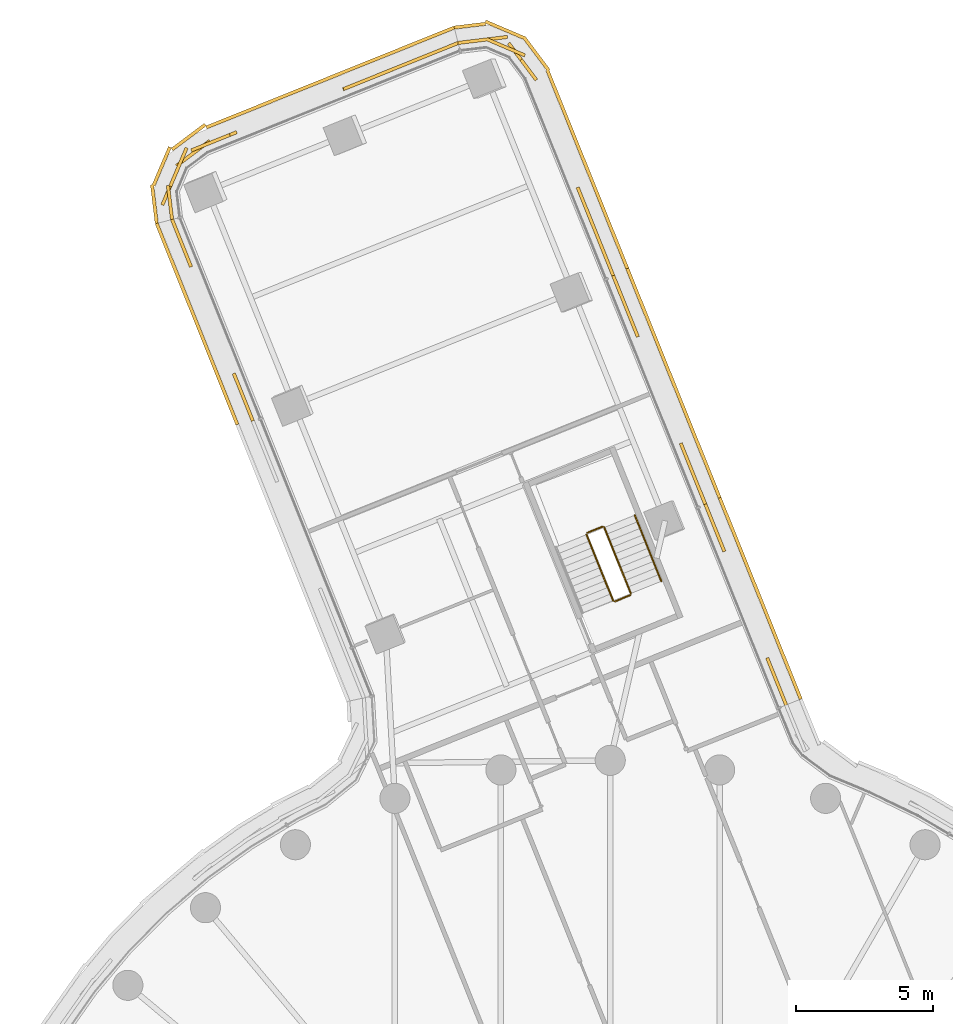
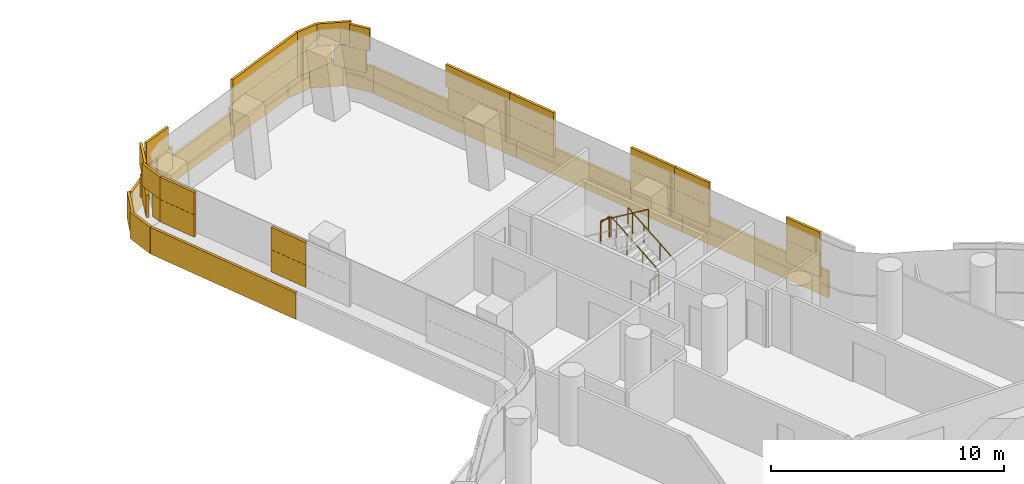
# One storey, part 32 of 32: 5 coverings, 5 railings.
"""IFC4 building model written with IfcOpenShell, lengths in metres."""

from ifc_helpers import new_model, si_unit, direction, frame, origin, origin_2d, place, context, subcontext, project, spatial, rectangle, circle, extrude, material, layer, layer_set, type_object, element, save


model = new_model("IFC4")

# Units and contexts
model_context = context("Model", 3, precision=1e-05, world=origin(), true_north=direction((0.0, 1.0)))
body_context = subcontext(model_context, "Body", "Model", "MODEL_VIEW")
ifc_project = project(units=[si_unit("LENGTHUNIT", "METRE"), si_unit("AREAUNIT", "SQUARE_METRE"), si_unit("VOLUMEUNIT", "CUBIC_METRE"), si_unit("PLANEANGLEUNIT", "RADIAN"), si_unit("MASSUNIT", "GRAM", prefix="KILO")], contexts=[model_context])

# Site, building, storey
site_placement = place(None, origin())
site = spatial("IfcSite", under=ifc_project, at=site_placement, CompositionType="ELEMENT")
building_placement = place(site_placement, origin())
building = spatial("IfcBuilding", under=site, at=building_placement, Name="Tamarind Cross Interchange Tower", CompositionType="ELEMENT")
storey_placement = place(building_placement, frame((0.0, 0.0, 113.5)))
storey = spatial("IfcBuildingStorey", under=building, at=storey_placement, Name="L27", CompositionType="ELEMENT", Elevation=113.5)

# Railings
ifc_material_1 = material(Name="Stair guard")
railing_type_1 = type_object("IfcRailingType", Name="Stair guard", PredefinedType="GUARDRAIL", material=ifc_material_1)
railing_1_placement = place(storey_placement, frame((0.75341796875, 29.095458984375, 0.17041015625)))
element("IfcRailing", 1, at=railing_1_placement, inside=storey, type_object=railing_type_1, Name="L27 ST4 stair guard 1", PredefinedType="GUARDRAIL", context=body_context, shape_type="SweptSolid", body=[
    extrude(circle(Radius=0.02392578125, at=origin_2d()), frame((0.0, 0.0, 1.076171875), z_axis=(-0.312469690883, 0.775716412802, 0.548294390988), x_axis=(-0.927573790047, -0.373640019295, 0.0)), (0.0, 0.0, 1.0), 3.10888671875),
    extrude(circle(Radius=0.02099609375, at=origin_2d()), origin(), (0.0, 0.0, 1.0), 1.052001953125),
    extrude(circle(Radius=0.02099609375, at=origin_2d()), frame((-0.32373046875, 0.803955078125, 0.568115234375)), (0.0, 0.0, 1.0), 1.052001953125),
    extrude(circle(Radius=0.02099609375, at=origin_2d()), frame((-0.647705078125, 1.607666015625, 1.136474609375)), (0.0, 0.0, 1.0), 1.052001953125),
    extrude(circle(Radius=0.02099609375, at=origin_2d()), frame((-0.971435546875, 2.41162109375, 1.70458984375)), (0.0, 0.0, 1.0), 1.052001953125),
])
railing_2_placement = place(storey_placement, frame((-0.283203125, 31.534912109375, 1.875)))
element("IfcRailing", 2, at=railing_2_placement, inside=storey, type_object=railing_type_1, Name="L27 ST4 stair guard 2", PredefinedType="GUARDRAIL", context=body_context, shape_type="SweptSolid", body=[
    extrude(circle(Radius=0.02392578125, at=origin_2d()), frame((0.0, 0.0, 1.076171875), z_axis=(-0.927434642362, -0.373985272633, 0.0), x_axis=(0.373985272633, -0.927434642362, 0.0)), (0.0, 0.0, 1.0), 0.599853515625),
    extrude(circle(Radius=0.02099609375, at=origin_2d()), origin(), (0.0, 0.0, 1.0), 1.052001953125),
    extrude(circle(Radius=0.02099609375, at=origin_2d()), frame((-0.556396484375, -0.224365234375, 0.0)), (0.0, 0.0, 1.0), 1.052001953125),
])
railing_3_placement = place(storey_placement, frame((-0.867431640625, 31.24560546875, 2.04541015625)))
element("IfcRailing", 3, at=railing_3_placement, inside=storey, type_object=railing_type_1, Name="L27 ST4 stair guard 3", PredefinedType="GUARDRAIL", context=body_context, shape_type="SweptSolid", body=[
    extrude(circle(Radius=0.02392578125, at=origin_2d()), frame((0.0, 0.0, 1.076171875), z_axis=(0.312450657011, -0.775747685502, 0.548260992021), x_axis=(0.927586897837, 0.373607477122, 0.0)), (0.0, 0.0, 1.0), 3.109130859375),
    extrude(circle(Radius=0.02099609375, at=origin_2d()), origin(), (0.0, 0.0, 1.0), 1.052001953125),
    extrude(circle(Radius=0.02099609375, at=origin_2d()), frame((0.32373046875, -0.803955078125, 0.568115234375)), (0.0, 0.0, 1.0), 1.052001953125),
    extrude(circle(Radius=0.02099609375, at=origin_2d()), frame((0.647705078125, -1.60791015625, 1.136474609375)), (0.0, 0.0, 1.0), 1.052001953125),
    extrude(circle(Radius=0.02099609375, at=origin_2d()), frame((0.971435546875, -2.411865234375, 1.70458984375)), (0.0, 0.0, 1.0), 1.052001953125),
])
railing_4_placement = place(storey_placement, frame((0.7255859375, 29.0302734375, 0.0)))
element("IfcRailing", 4, at=railing_4_placement, inside=storey, type_object=railing_type_1, Name="L27 ST4 stair guard 4", PredefinedType="GUARDRAIL", context=body_context, shape_type="SweptSolid", body=[
    extrude(circle(Radius=0.02392578125, at=origin_2d()), frame((0.0, 0.0, 1.076171875), z_axis=(-0.927575746437, -0.373635162453, 0.0), x_axis=(0.373635162453, -0.927575746437, 0.0)), (0.0, 0.0, 1.0), 0.599853515625),
    extrude(circle(Radius=0.02099609375, at=origin_2d()), origin(), (0.0, 0.0, 1.0), 1.052001953125),
    extrude(circle(Radius=0.02099609375, at=origin_2d()), frame((-0.556396484375, -0.22412109375, 0.0)), (0.0, 0.0, 1.0), 1.052001953125),
])
ifc_material_2 = material(Name="Stair handrail")
railing_type_2 = type_object("IfcRailingType", Name="Stair handrail", PredefinedType="HANDRAIL", material=ifc_material_2)
railing_5_placement = place(storey_placement, frame((1.866455078125, 29.543701171875, 0.17041015625)))
element("IfcRailing", 5, at=railing_5_placement, inside=storey, type_object=railing_type_2, Name="L27 ST4 stair handrail 1", PredefinedType="HANDRAIL", context=body_context, shape_type="SweptSolid", body=[
    extrude(circle(Radius=0.02392578125, at=origin_2d()), frame((0.0, 0.0, 0.8759765625), z_axis=(-0.312450657011, 0.775747685502, 0.548260992021), x_axis=(-0.927586897837, -0.373607477122, 0.0)), (0.0, 0.0, 1.0), 3.109130859375),
    extrude(circle(Radius=0.02099609375, at=origin_2d()), origin(), (0.0, 0.0, 1.0), 0.851806640625),
    extrude(circle(Radius=0.02099609375, at=origin_2d()), frame((-0.32373046875, 0.803955078125, 0.568115234375)), (0.0, 0.0, 1.0), 0.851806640625),
    extrude(circle(Radius=0.02099609375, at=origin_2d()), frame((-0.647705078125, 1.60791015625, 1.136474609375)), (0.0, 0.0, 1.0), 0.851806640625),
    extrude(circle(Radius=0.02099609375, at=origin_2d()), frame((-0.971435546875, 2.411865234375, 1.70458984375)), (0.0, 0.0, 1.0), 0.851806640625),
])

# Coverings
ifc_material_3 = material(Name="Terracotta", Category="masonry")
ifc_layer = layer(ifc_material_3, 0.1201171875)
ifc_layer_set = layer_set([ifc_layer], Name="Terracotta")
covering_type = type_object("IfcCoveringType", Name="Terracotta baguette screen unit", PredefinedType="MOLDING", material=ifc_layer_set)
covering_1_placement = place(storey_placement, origin())
element("IfcCovering", 6, at=covering_1_placement, inside=storey, type_object=covering_type, Name="SCR-L27-11-00", PredefinedType="MOLDING", context=body_context, shape_type="SweptSolid", body=[
    extrude(rectangle(XDim=0.760009765625, YDim=0.1201171875, at=origin_2d()), frame((6.285400390625, 25.37158203125, 1.404052734375), z_axis=(0.0, 0.0, 1.0), x_axis=(-0.373648394893, 0.927570416192, 0.0)), (0.0, 0.0, 1.0), 1.1669921875),
    extrude(rectangle(XDim=1.110107421875, YDim=0.1201171875, at=origin_2d()), frame((5.93994140625, 26.2294921875, 1.404052734375), z_axis=(0.0, 0.0, 1.0), x_axis=(-0.373648394893, 0.927570416192, 0.0)), (0.0, 0.0, 1.0), 1.1669921875),
    extrude(rectangle(XDim=0.7099609375, YDim=0.1201171875, at=origin_2d()), frame((4.0341796875, 30.960205078125, 1.404052734375), z_axis=(0.0, 0.0, 1.0), x_axis=(-0.373648394893, 0.927570416192, 0.0)), (0.0, 0.0, 1.0), 1.1669921875),
    extrude(rectangle(XDim=1.159912109375, YDim=0.1201171875, at=origin_2d()), frame((3.688720703125, 31.818115234375, 1.404052734375), z_axis=(0.0, 0.0, 1.0), x_axis=(-0.373648394893, 0.927570416192, 0.0)), (0.0, 0.0, 1.0), 1.1669921875),
    extrude(rectangle(XDim=1.510009765625, YDim=0.1201171875, at=origin_2d()), frame((6.145263671875, 25.719482421875, 2.5791015625), z_axis=(0.0, 0.0, 1.0), x_axis=(-0.373648394893, 0.927570416192, 0.0)), (0.0, 0.0, 1.0), 1.1669921875),
    extrude(rectangle(XDim=0.360107421875, YDim=0.1201171875, at=origin_2d()), frame((5.7998046875, 26.577392578125, 2.5791015625), z_axis=(0.0, 0.0, 1.0), x_axis=(-0.373648394893, 0.927570416192, 0.0)), (0.0, 0.0, 1.0), 1.1669921875),
    extrude(rectangle(XDim=1.4599609375, YDim=0.1201171875, at=origin_2d()), frame((3.89404296875, 31.30810546875, 2.5791015625), z_axis=(0.0, 0.0, 1.0), x_axis=(-0.373648394893, 0.927570416192, 0.0)), (0.0, 0.0, 1.0), 1.1669921875),
    extrude(rectangle(XDim=0.409912109375, YDim=0.1201171875, at=origin_2d()), frame((3.548583984375, 32.166015625, 2.5791015625), z_axis=(0.0, 0.0, 1.0), x_axis=(-0.373648394893, 0.927570416192, 0.0)), (0.0, 0.0, 1.0), 1.1669921875),
    extrude(rectangle(XDim=0.760009765625, YDim=0.1201171875, at=origin_2d()), frame((6.815673828125, 25.591552734375, 0.00390625), z_axis=(0.0, 0.0, 1.0), x_axis=(-0.373648394893, 0.927570416192, 0.0)), (0.0, 0.0, 1.0), 1.39208984375),
    extrude(rectangle(XDim=1.52001953125, YDim=0.1201171875, at=origin_2d()), frame((6.397216796875, 26.63037109375, 0.00390625), z_axis=(0.0, 0.0, 1.0), x_axis=(-0.373648394893, 0.927570416192, 0.0)), (0.0, 0.0, 1.0), 1.39208984375),
    extrude(rectangle(XDim=1.52001953125, YDim=0.1201171875, at=origin_2d()), frame((5.836669921875, 28.021728515625, 0.00390625), z_axis=(0.0, 0.0, 1.0), x_axis=(-0.373648394893, 0.927570416192, 0.0)), (0.0, 0.0, 1.0), 1.39208984375),
    extrude(rectangle(XDim=1.52001953125, YDim=0.1201171875, at=origin_2d()), frame((5.2763671875, 29.4130859375, 0.00390625), z_axis=(0.0, 0.0, 1.0), x_axis=(-0.373648394893, 0.927570416192, 0.0)), (0.0, 0.0, 1.0), 1.39208984375),
    extrude(rectangle(XDim=1.52001953125, YDim=0.1201171875, at=origin_2d()), frame((4.7158203125, 30.804443359375, 0.00390625), z_axis=(0.0, 0.0, 1.0), x_axis=(-0.373648394893, 0.927570416192, 0.0)), (0.0, 0.0, 1.0), 1.39208984375),
    extrude(rectangle(XDim=1.183837890625, YDim=0.1201171875, at=origin_2d()), frame((4.218017578125, 32.039794921875, 0.00390625), z_axis=(0.0, 0.0, 1.0), x_axis=(-0.373648394893, 0.927570416192, 0.0)), (0.0, 0.0, 1.0), 1.39208984375),
])
covering_2_placement = place(storey_placement, origin())
element("IfcCovering", 7, at=covering_2_placement, inside=storey, type_object=covering_type, Name="SCR-L27-11-01", PredefinedType="MOLDING", context=body_context, shape_type="SweptSolid", body=[
    extrude(rectangle(XDim=0.35986328125, YDim=0.1201171875, at=origin_2d()), frame((3.408447265625, 32.513916015625, 1.404052734375), z_axis=(0.0, 0.0, 1.0), x_axis=(-0.373648394893, 0.927570416192, 0.0)), (0.0, 0.0, 1.0), 1.1669921875),
    extrude(rectangle(XDim=1.52001953125, YDim=0.1201171875, at=origin_2d()), frame((3.062744140625, 33.371826171875, 1.404052734375), z_axis=(0.0, 0.0, 1.0), x_axis=(-0.373648394893, 0.927570416192, 0.0)), (0.0, 0.0, 1.0), 1.1669921875),
    extrude(rectangle(XDim=0.562255859375, YDim=0.1201171875, at=origin_2d()), frame((2.679443359375, 34.32373046875, 1.404052734375), z_axis=(0.0, 0.0, 1.0), x_axis=(-0.373648394893, 0.927570416192, 0.0)), (0.0, 0.0, 1.0), 1.1669921875),
    extrude(rectangle(XDim=1.2578125, YDim=0.1201171875, at=origin_2d()), frame((0.773681640625, 39.05419921875, 1.404052734375), z_axis=(0.0, 0.0, 1.0), x_axis=(-0.373648394893, 0.927570416192, 0.0)), (0.0, 0.0, 1.0), 1.1669921875),
    extrude(rectangle(XDim=1.164306640625, YDim=0.1201171875, at=origin_2d()), frame((0.324951171875, 40.168212890625, 1.404052734375), z_axis=(0.0, 0.0, 1.0), x_axis=(-0.373648394893, 0.927570416192, 0.0)), (0.0, 0.0, 1.0), 1.1669921875),
    extrude(rectangle(XDim=1.10986328125, YDim=0.1201171875, at=origin_2d()), frame((3.268310546875, 32.86181640625, 2.5791015625), z_axis=(0.0, 0.0, 1.0), x_axis=(-0.373648394893, 0.927570416192, 0.0)), (0.0, 0.0, 1.0), 1.1669921875),
    extrude(rectangle(XDim=1.312255859375, YDim=0.1201171875, at=origin_2d()), frame((2.819580078125, 33.975830078125, 2.5791015625), z_axis=(0.0, 0.0, 1.0), x_axis=(-0.373648394893, 0.927570416192, 0.0)), (0.0, 0.0, 1.0), 1.1669921875),
    extrude(rectangle(XDim=0.5078125, YDim=0.1201171875, at=origin_2d()), frame((0.913818359375, 38.706298828125, 2.5791015625), z_axis=(0.0, 0.0, 1.0), x_axis=(-0.373648394893, 0.927570416192, 0.0)), (0.0, 0.0, 1.0), 1.1669921875),
    extrude(rectangle(XDim=1.52001953125, YDim=0.1201171875, at=origin_2d()), frame((0.54052734375, 39.633056640625, 2.5791015625), z_axis=(0.0, 0.0, 1.0), x_axis=(-0.373648394893, 0.927570416192, 0.0)), (0.0, 0.0, 1.0), 1.1669921875),
    extrude(rectangle(XDim=0.414306640625, YDim=0.1201171875, at=origin_2d()), frame((0.184814453125, 40.51611328125, 2.5791015625), z_axis=(0.0, 0.0, 1.0), x_axis=(-0.373648394893, 0.927570416192, 0.0)), (0.0, 0.0, 1.0), 1.1669921875),
    extrude(rectangle(XDim=0.336181640625, YDim=0.1201171875, at=origin_2d()), frame((3.93408203125, 32.744873046875, 0.00390625), z_axis=(0.0, 0.0, 1.0), x_axis=(-0.373648394893, 0.927570416192, 0.0)), (0.0, 0.0, 1.0), 1.39208984375),
    extrude(rectangle(XDim=1.52001953125, YDim=0.1201171875, at=origin_2d()), frame((3.594970703125, 33.587158203125, 0.00390625), z_axis=(0.0, 0.0, 1.0), x_axis=(-0.373648394893, 0.927570416192, 0.0)), (0.0, 0.0, 1.0), 1.39208984375),
    extrude(rectangle(XDim=1.52001953125, YDim=0.1201171875, at=origin_2d()), frame((3.034423828125, 34.978515625, 0.00390625), z_axis=(0.0, 0.0, 1.0), x_axis=(-0.373648394893, 0.927570416192, 0.0)), (0.0, 0.0, 1.0), 1.39208984375),
    extrude(rectangle(XDim=1.52001953125, YDim=0.1201171875, at=origin_2d()), frame((2.473876953125, 36.369873046875, 0.00390625), z_axis=(0.0, 0.0, 1.0), x_axis=(-0.373648394893, 0.927570416192, 0.0)), (0.0, 0.0, 1.0), 1.39208984375),
    extrude(rectangle(XDim=1.52001953125, YDim=0.1201171875, at=origin_2d()), frame((1.913330078125, 37.76123046875, 0.00390625), z_axis=(0.0, 0.0, 1.0), x_axis=(-0.373648394893, 0.927570416192, 0.0)), (0.0, 0.0, 1.0), 1.39208984375),
    extrude(rectangle(XDim=1.52001953125, YDim=0.1201171875, at=origin_2d()), frame((1.35302734375, 39.152587890625, 0.00390625), z_axis=(0.0, 0.0, 1.0), x_axis=(-0.373648394893, 0.927570416192, 0.0)), (0.0, 0.0, 1.0), 1.39208984375),
    extrude(rectangle(XDim=1.215087890625, YDim=0.1201171875, at=origin_2d()), frame((0.849365234375, 40.402587890625, 0.00390625), z_axis=(0.0, 0.0, 1.0), x_axis=(-0.373648394893, 0.927570416192, 0.0)), (0.0, 0.0, 1.0), 1.39208984375),
])
covering_3_placement = place(storey_placement, origin())
element("IfcCovering", 8, at=covering_3_placement, inside=storey, type_object=covering_type, Name="SCR-L27-11-02", PredefinedType="MOLDING", context=body_context, shape_type="SweptSolid", body=[
    extrude(rectangle(XDim=0.355712890625, YDim=0.1201171875, at=origin_2d()), frame((0.044677734375, 40.864013671875, 1.404052734375), z_axis=(0.0, 0.0, 1.0), x_axis=(-0.373648394893, 0.927570416192, 0.0)), (0.0, 0.0, 1.0), 1.1669921875),
    extrude(rectangle(XDim=1.52001953125, YDim=0.1201171875, at=origin_2d()), frame((-0.300048828125, 41.719970703125, 1.404052734375), z_axis=(0.0, 0.0, 1.0), x_axis=(-0.373648394893, 0.927570416192, 0.0)), (0.0, 0.0, 1.0), 1.1669921875),
    extrude(rectangle(XDim=1.52001953125, YDim=0.1201171875, at=origin_2d()), frame((-0.860595703125, 43.111328125, 1.404052734375), z_axis=(0.0, 0.0, 1.0), x_axis=(-0.373648394893, 0.927570416192, 0.0)), (0.0, 0.0, 1.0), 1.1669921875),
    extrude(rectangle(XDim=1.52001953125, YDim=0.1201171875, at=origin_2d()), frame((-3.255126953125, 48.590576171875, 1.404052734375), z_axis=(0.0, 0.0, 1.0), x_axis=(-0.600989523963, 0.799256899931, 0.0)), (0.0, 0.0, 1.0), 1.1669921875),
    extrude(rectangle(XDim=1.52001953125, YDim=0.1201171875, at=origin_2d()), frame((-4.5087890625, 49.33251953125, 1.404052734375), z_axis=(0.0, 0.0, 1.0), x_axis=(-0.992671541471, -0.120843745195, 0.0)), (0.0, 0.0, 1.0), 1.1669921875),
    extrude(rectangle(XDim=0.314697265625, YDim=0.1201171875, at=origin_2d()), frame((-5.404541015625, 49.2236328125, 1.404052734375), z_axis=(0.0, 0.0, 1.0), x_axis=(-0.992671541471, -0.120843745195, 0.0)), (0.0, 0.0, 1.0), 1.1669921875),
    extrude(rectangle(XDim=1.105712890625, YDim=0.1201171875, at=origin_2d()), frame((-0.095458984375, 41.2119140625, 2.5791015625), z_axis=(0.0, 0.0, 1.0), x_axis=(-0.373648394893, 0.927570416192, 0.0)), (0.0, 0.0, 1.0), 1.1669921875),
    extrude(rectangle(XDim=1.52001953125, YDim=0.1201171875, at=origin_2d()), frame((-0.580322265625, 42.415771484375, 2.5791015625), z_axis=(0.0, 0.0, 1.0), x_axis=(-0.373648394893, 0.927570416192, 0.0)), (0.0, 0.0, 1.0), 1.1669921875),
    extrude(rectangle(XDim=0.889404296875, YDim=0.1201171875, at=origin_2d()), frame((-1.02490234375, 43.519287109375, 2.5791015625), z_axis=(0.0, 0.0, 1.0), x_axis=(-0.373648394893, 0.927570416192, 0.0)), (0.0, 0.0, 1.0), 1.1669921875),
    extrude(rectangle(XDim=0.9306640625, YDim=0.1201171875, at=origin_2d()), frame((-2.978515625, 48.22265625, 2.5791015625), z_axis=(0.0, 0.0, 1.0), x_axis=(-0.600989523963, 0.799256899931, 0.0)), (0.0, 0.0, 1.0), 1.1669921875),
    extrude(rectangle(XDim=1.52001953125, YDim=0.1201171875, at=origin_2d()), frame((-3.817626953125, 49.04736328125, 2.5791015625), z_axis=(0.0, 0.0, 1.0), x_axis=(-0.920100645125, 0.391682017509, 0.0)), (0.0, 0.0, 1.0), 1.1669921875),
    extrude(rectangle(XDim=1.064697265625, YDim=0.1201171875, at=origin_2d()), frame((-5.0322265625, 49.268798828125, 2.5791015625), z_axis=(0.0, 0.0, 1.0), x_axis=(-0.992671541471, -0.120843745195, 0.0)), (0.0, 0.0, 1.0), 1.1669921875),
    extrude(rectangle(XDim=0.304931640625, YDim=0.1201171875, at=origin_2d()), frame((0.5654296875, 41.107421875, 0.00390625), z_axis=(0.0, 0.0, 1.0), x_axis=(-0.373648394893, 0.927570416192, 0.0)), (0.0, 0.0, 1.0), 1.39208984375),
    extrude(rectangle(XDim=1.52001953125, YDim=0.1201171875, at=origin_2d()), frame((0.23193359375, 41.935302734375, 0.00390625), z_axis=(0.0, 0.0, 1.0), x_axis=(-0.373648394893, 0.927570416192, 0.0)), (0.0, 0.0, 1.0), 1.39208984375),
    extrude(rectangle(XDim=1.52001953125, YDim=0.1201171875, at=origin_2d()), frame((-0.328369140625, 43.32666015625, 0.00390625), z_axis=(0.0, 0.0, 1.0), x_axis=(-0.373648394893, 0.927570416192, 0.0)), (0.0, 0.0, 1.0), 1.39208984375),
    extrude(rectangle(XDim=1.52001953125, YDim=0.1201171875, at=origin_2d()), frame((-0.888916015625, 44.718017578125, 0.00390625), z_axis=(0.0, 0.0, 1.0), x_axis=(-0.373648394893, 0.927570416192, 0.0)), (0.0, 0.0, 1.0), 1.39208984375),
    extrude(rectangle(XDim=1.52001953125, YDim=0.1201171875, at=origin_2d()), frame((-1.449462890625, 46.109375, 0.00390625), z_axis=(0.0, 0.0, 1.0), x_axis=(-0.373648394893, 0.927570416192, 0.0)), (0.0, 0.0, 1.0), 1.39208984375),
    extrude(rectangle(XDim=1.52001953125, YDim=0.1201171875, at=origin_2d()), frame((-2.009765625, 47.500732421875, 0.00390625), z_axis=(0.0, 0.0, 1.0), x_axis=(-0.373648394893, 0.927570416192, 0.0)), (0.0, 0.0, 1.0), 1.39208984375),
    extrude(rectangle(XDim=1.52001953125, YDim=0.1201171875, at=origin_2d()), frame((-2.7060546875, 48.8154296875, 0.00390625), z_axis=(0.0, 0.0, 1.0), x_axis=(-0.600989523963, 0.799256899931, 0.0)), (0.0, 0.0, 1.0), 1.39208984375),
    extrude(rectangle(XDim=1.52001953125, YDim=0.1201171875, at=origin_2d()), frame((-3.861572265625, 49.68994140625, 0.00390625), z_axis=(0.0, 0.0, 1.0), x_axis=(-0.920100645125, 0.391682017509, 0.0)), (0.0, 0.0, 1.0), 1.39208984375),
    extrude(rectangle(XDim=1.15576171875, YDim=0.1201171875, at=origin_2d()), frame((-5.12646484375, 49.835693359375, 0.00390625), z_axis=(0.0, 0.0, 1.0), x_axis=(-0.992671541471, -0.120843745195, 0.0)), (0.0, 0.0, 1.0), 1.39208984375),
])
covering_4_placement = place(storey_placement, origin())
element("IfcCovering", 9, at=covering_4_placement, inside=storey, type_object=covering_type, Name="SCR-L27-12-00", PredefinedType="MOLDING", context=body_context, shape_type="SweptSolid", body=[
    extrude(rectangle(XDim=0.760009765625, YDim=0.1201171875, at=origin_2d()), frame((-5.903564453125, 49.06494140625, 1.404052734375), z_axis=(0.0, 0.0, 1.0), x_axis=(-0.927570416192, -0.373648394893, 0.0)), (0.0, 0.0, 1.0), 1.1669921875),
    extrude(rectangle(XDim=1.52001953125, YDim=0.1201171875, at=origin_2d()), frame((-6.947021484375, 48.644775390625, 1.404052734375), z_axis=(0.0, 0.0, 1.0), x_axis=(-0.927570416192, -0.373648394893, 0.0)), (0.0, 0.0, 1.0), 1.1669921875),
    extrude(rectangle(XDim=1.52001953125, YDim=0.1201171875, at=origin_2d()), frame((-8.33837890625, 48.084228515625, 1.404052734375), z_axis=(0.0, 0.0, 1.0), x_axis=(-0.927570416192, -0.373648394893, 0.0)), (0.0, 0.0, 1.0), 1.1669921875),
    extrude(rectangle(XDim=0.784912109375, YDim=0.1201171875, at=origin_2d()), frame((-9.3935546875, 47.6591796875, 1.404052734375), z_axis=(0.0, 0.0, 1.0), x_axis=(-0.927570416192, -0.373648394893, 0.0)), (0.0, 0.0, 1.0), 1.1669921875),
    extrude(rectangle(XDim=1.03515625, YDim=0.1201171875, at=origin_2d()), frame((-14.1240234375, 45.753662109375, 1.404052734375), z_axis=(0.0, 0.0, 1.0), x_axis=(-0.927570416192, -0.373648394893, 0.0)), (0.0, 0.0, 1.0), 1.1669921875),
    extrude(rectangle(XDim=1.52001953125, YDim=0.1201171875, at=origin_2d()), frame((-15.234130859375, 45.173583984375, 1.404052734375), z_axis=(0.0, 0.0, 1.0), x_axis=(-0.799256899931, -0.600989523963, 0.0)), (0.0, 0.0, 1.0), 1.1669921875),
    extrude(rectangle(XDim=1.52001953125, YDim=0.1201171875, at=origin_2d()), frame((-16.064208984375, 43.983154296875, 1.404052734375), z_axis=(0.0, 0.0, 1.0), x_axis=(-0.391682017509, -0.920100645125, 0.0)), (0.0, 0.0, 1.0), 1.1669921875),
    extrude(rectangle(XDim=0.509521484375, YDim=0.1201171875, at=origin_2d()), frame((-16.03466796875, 43.003662109375, 1.404052734375), z_axis=(0.0, 0.0, 1.0), x_axis=(0.120843745195, -0.992671541471, 0.0)), (0.0, 0.0, 1.0), 1.1669921875),
    extrude(rectangle(XDim=1.510009765625, YDim=0.1201171875, at=origin_2d()), frame((-6.25146484375, 48.9248046875, 2.5791015625), z_axis=(0.0, 0.0, 1.0), x_axis=(-0.927570416192, -0.373648394893, 0.0)), (0.0, 0.0, 1.0), 1.1669921875),
    extrude(rectangle(XDim=1.52001953125, YDim=0.1201171875, at=origin_2d()), frame((-7.642822265625, 48.364501953125, 2.5791015625), z_axis=(0.0, 0.0, 1.0), x_axis=(-0.927570416192, -0.373648394893, 0.0)), (0.0, 0.0, 1.0), 1.1669921875),
    extrude(rectangle(XDim=1.52001953125, YDim=0.1201171875, at=origin_2d()), frame((-9.0341796875, 47.803955078125, 2.5791015625), z_axis=(0.0, 0.0, 1.0), x_axis=(-0.927570416192, -0.373648394893, 0.0)), (0.0, 0.0, 1.0), 1.1669921875),
    extrude(rectangle(XDim=1.52001953125, YDim=0.1201171875, at=origin_2d()), frame((-14.599609375, 45.56201171875, 2.5791015625), z_axis=(0.0, 0.0, 1.0), x_axis=(-0.927570416192, -0.373648394893, 0.0)), (0.0, 0.0, 1.0), 1.1669921875),
    extrude(rectangle(XDim=1.52001953125, YDim=0.1201171875, at=origin_2d()), frame((-15.770263671875, 44.67333984375, 2.5791015625), z_axis=(0.0, 0.0, 1.0), x_axis=(-0.391682017509, -0.920100645125, 0.0)), (0.0, 0.0, 1.0), 1.1669921875),
    extrude(rectangle(XDim=1.259521484375, YDim=0.1201171875, at=origin_2d()), frame((-16.080078125, 43.3759765625, 2.5791015625), z_axis=(0.0, 0.0, 1.0), x_axis=(0.120843745195, -0.992671541471, 0.0)), (0.0, 0.0, 1.0), 1.1669921875),
    extrude(rectangle(XDim=0.760009765625, YDim=0.1201171875, at=origin_2d()), frame((-6.052490234375, 49.623779296875, 0.00390625), z_axis=(0.0, 0.0, 1.0), x_axis=(-0.927570416192, -0.373648394893, 0.0)), (0.0, 0.0, 1.0), 1.39208984375),
    extrude(rectangle(XDim=1.52001953125, YDim=0.1201171875, at=origin_2d()), frame((-7.091552734375, 49.205322265625, 0.00390625), z_axis=(0.0, 0.0, 1.0), x_axis=(-0.927570416192, -0.373648394893, 0.0)), (0.0, 0.0, 1.0), 1.39208984375),
    extrude(rectangle(XDim=1.52001953125, YDim=0.1201171875, at=origin_2d()), frame((-8.48291015625, 48.644775390625, 0.00390625), z_axis=(0.0, 0.0, 1.0), x_axis=(-0.927570416192, -0.373648394893, 0.0)), (0.0, 0.0, 1.0), 1.39208984375),
    extrude(rectangle(XDim=1.52001953125, YDim=0.1201171875, at=origin_2d()), frame((-9.874267578125, 48.08447265625, 0.00390625), z_axis=(0.0, 0.0, 1.0), x_axis=(-0.927570416192, -0.373648394893, 0.0)), (0.0, 0.0, 1.0), 1.39208984375),
    extrude(rectangle(XDim=1.52001953125, YDim=0.1201171875, at=origin_2d()), frame((-11.265625, 47.52392578125, 0.00390625), z_axis=(0.0, 0.0, 1.0), x_axis=(-0.927570416192, -0.373648394893, 0.0)), (0.0, 0.0, 1.0), 1.39208984375),
    extrude(rectangle(XDim=1.52001953125, YDim=0.1201171875, at=origin_2d()), frame((-12.656982421875, 46.96337890625, 0.00390625), z_axis=(0.0, 0.0, 1.0), x_axis=(-0.927570416192, -0.373648394893, 0.0)), (0.0, 0.0, 1.0), 1.39208984375),
    extrude(rectangle(XDim=1.52001953125, YDim=0.1201171875, at=origin_2d()), frame((-14.04833984375, 46.403076171875, 0.00390625), z_axis=(0.0, 0.0, 1.0), x_axis=(-0.927570416192, -0.373648394893, 0.0)), (0.0, 0.0, 1.0), 1.39208984375),
    extrude(rectangle(XDim=1.52001953125, YDim=0.1201171875, at=origin_2d()), frame((-15.39794921875, 45.7685546875, 0.00390625), z_axis=(0.0, 0.0, 1.0), x_axis=(-0.799256899931, -0.600989523963, 0.0)), (0.0, 0.0, 1.0), 1.39208984375),
    extrude(rectangle(XDim=1.52001953125, YDim=0.1201171875, at=origin_2d()), frame((-16.383056640625, 44.69970703125, 0.00390625), z_axis=(0.0, 0.0, 1.0), x_axis=(-0.391682017509, -0.920100645125, 0.0)), (0.0, 0.0, 1.0), 1.39208984375),
    extrude(rectangle(XDim=1.426513671875, YDim=0.1201171875, at=origin_2d()), frame((-16.6513671875, 43.31982421875, 0.00390625), z_axis=(0.0, 0.0, 1.0), x_axis=(0.120843745195, -0.992671541471, 0.0)), (0.0, 0.0, 1.0), 1.39208984375),
])
covering_5_placement = place(storey_placement, origin())
element("IfcCovering", 10, at=covering_5_placement, inside=storey, type_object=covering_type, Name="SCR-L27-13-00", PredefinedType="MOLDING", context=body_context, shape_type="SweptSolid", body=[
    extrude(rectangle(XDim=0.760009765625, YDim=0.1201171875, at=origin_2d()), frame((-15.864990234375, 42.40771484375, 1.404052734375), z_axis=(0.0, 0.0, 1.0), x_axis=(0.372124229448, -0.928182933401, 0.0)), (0.0, 0.0, 1.0), 1.1669921875),
    extrude(rectangle(XDim=1.11962890625, YDim=0.1201171875, at=origin_2d()), frame((-15.51904296875, 41.544677734375, 1.404052734375), z_axis=(0.0, 0.0, 1.0), x_axis=(0.372124229448, -0.928182933401, 0.0)), (0.0, 0.0, 1.0), 1.1669921875),
    extrude(rectangle(XDim=0.700439453125, YDim=0.1201171875, at=origin_2d()), frame((-13.62109375, 36.810791015625, 1.404052734375), z_axis=(0.0, 0.0, 1.0), x_axis=(0.372124229448, -0.928182933401, 0.0)), (0.0, 0.0, 1.0), 1.1669921875),
    extrude(rectangle(XDim=1.179443359375, YDim=0.1201171875, at=origin_2d()), frame((-13.275146484375, 35.94775390625, 1.404052734375), z_axis=(0.0, 0.0, 1.0), x_axis=(0.372124229448, -0.928182933401, 0.0)), (0.0, 0.0, 1.0), 1.1669921875),
    extrude(rectangle(XDim=1.510009765625, YDim=0.1201171875, at=origin_2d()), frame((-15.725341796875, 42.0595703125, 2.5791015625), z_axis=(0.0, 0.0, 1.0), x_axis=(0.372124229448, -0.928182933401, 0.0)), (0.0, 0.0, 1.0), 1.1669921875),
    extrude(rectangle(XDim=0.36962890625, YDim=0.1201171875, at=origin_2d()), frame((-15.37939453125, 41.196533203125, 2.5791015625), z_axis=(0.0, 0.0, 1.0), x_axis=(0.372124229448, -0.928182933401, 0.0)), (0.0, 0.0, 1.0), 1.1669921875),
    extrude(rectangle(XDim=1.450439453125, YDim=0.1201171875, at=origin_2d()), frame((-13.481689453125, 36.462890625, 2.5791015625), z_axis=(0.0, 0.0, 1.0), x_axis=(0.372124229448, -0.928182933401, 0.0)), (0.0, 0.0, 1.0), 1.1669921875),
    extrude(rectangle(XDim=0.429443359375, YDim=0.1201171875, at=origin_2d()), frame((-13.135498046875, 35.599853515625, 2.5791015625), z_axis=(0.0, 0.0, 1.0), x_axis=(0.372124229448, -0.928182933401, 0.0)), (0.0, 0.0, 1.0), 1.1669921875),
    extrude(rectangle(XDim=0.760009765625, YDim=0.1201171875, at=origin_2d()), frame((-16.423828125, 42.259033203125, 0.00390625), z_axis=(0.0, 0.0, 1.0), x_axis=(0.372124229448, -0.928182933401, 0.0)), (0.0, 0.0, 1.0), 1.39208984375),
    extrude(rectangle(XDim=1.52001953125, YDim=0.1201171875, at=origin_2d()), frame((-16.007080078125, 41.219482421875, 0.00390625), z_axis=(0.0, 0.0, 1.0), x_axis=(0.372124229448, -0.928182933401, 0.0)), (0.0, 0.0, 1.0), 1.39208984375),
    extrude(rectangle(XDim=1.52001953125, YDim=0.1201171875, at=origin_2d()), frame((-15.448974609375, 39.827392578125, 0.00390625), z_axis=(0.0, 0.0, 1.0), x_axis=(0.372124229448, -0.928182933401, 0.0)), (0.0, 0.0, 1.0), 1.39208984375),
    extrude(rectangle(XDim=1.52001953125, YDim=0.1201171875, at=origin_2d()), frame((-14.890625, 38.43505859375, 0.00390625), z_axis=(0.0, 0.0, 1.0), x_axis=(0.372124229448, -0.928182933401, 0.0)), (0.0, 0.0, 1.0), 1.39208984375),
    extrude(rectangle(XDim=1.52001953125, YDim=0.1201171875, at=origin_2d()), frame((-14.33251953125, 37.042724609375, 0.00390625), z_axis=(0.0, 0.0, 1.0), x_axis=(0.372124229448, -0.928182933401, 0.0)), (0.0, 0.0, 1.0), 1.39208984375),
    extrude(rectangle(XDim=1.17138671875, YDim=0.1201171875, at=origin_2d()), frame((-13.839111328125, 35.812255859375, 0.00390625), z_axis=(0.0, 0.0, 1.0), x_axis=(0.372124229448, -0.928182933401, 0.0)), (0.0, 0.0, 1.0), 1.39208984375),
])

save(model, "model.ifc")
